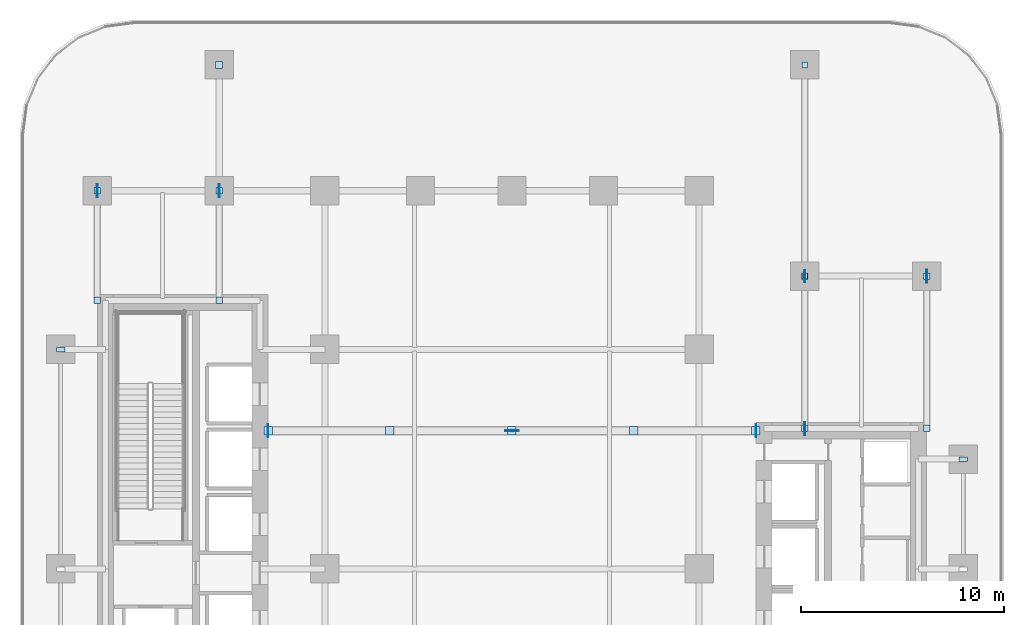
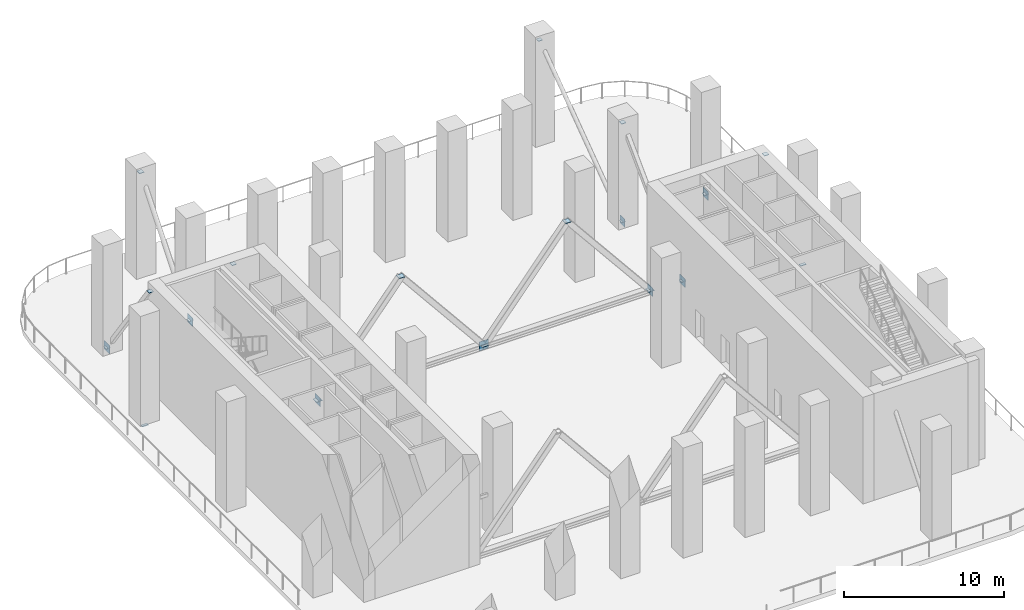
# One storey, part 4 of 13: 26 plates.
"""IFC4 building model written with IfcOpenShell, lengths in metres."""

from ifc_helpers import new_model, si_unit, direction, frame, origin, origin_2d, place, context, subcontext, project, spatial, rectangle, extrude, material, layer, layer_set, type_object, element, save


model = new_model("IFC4")

# Units and contexts
model_context = context("Model", 3, precision=1e-05, world=origin(), true_north=direction((0.0, 1.0)))
body_context = subcontext(model_context, "Body", "Model", "MODEL_VIEW")
ifc_project = project(units=[si_unit("LENGTHUNIT", "METRE"), si_unit("AREAUNIT", "SQUARE_METRE"), si_unit("VOLUMEUNIT", "CUBIC_METRE"), si_unit("PLANEANGLEUNIT", "RADIAN"), si_unit("MASSUNIT", "GRAM", prefix="KILO")], contexts=[model_context])

# Site, building, storey
site_placement = place(None, origin())
site = spatial("IfcSite", under=ifc_project, at=site_placement, CompositionType="ELEMENT")
building_placement = place(site_placement, origin())
building = spatial("IfcBuilding", under=site, at=building_placement, Name="Khairoan Windgate Tower", CompositionType="ELEMENT")
storey_placement = place(building_placement, frame((0.0, 0.0, 84.800048828125)))
storey = spatial("IfcBuildingStorey", under=building, at=storey_placement, Name="L20", CompositionType="ELEMENT", Elevation=84.800048828125)

# Plates
ifc_material_1 = material(Name="Steel S355", Category="steel")
ifc_layer_1 = layer(ifc_material_1, 0.0400390625, Name="Steel S355")
ifc_layer_set_1 = layer_set([ifc_layer_1], Name="Steel S355")
plate_type_1 = type_object("IfcPlateType", Name="Hollow Section End-Cap Plate PL-CAP40", PredefinedType="SHEET", material=ifc_layer_set_1)
for number, where, z_axis, x_axis, name in (
    (1, (-22.199951171875, 10.784912109375, -0.570068359375), (0.0, 0.0, 1.0), (0.0, 1.0, 0.0), "BM-SP-L20-035 steel end-cap plate 2"),
    (2, (22.199951171875, 5.385009765625, -0.570068359375), (0.0, 0.0, 1.0), (0.0, 1.0, 0.0), "BM-SP-L20-062 steel end-cap plate 2"),
):
    element("IfcPlate", number, at=place(storey_placement, frame(where, z_axis=z_axis, x_axis=x_axis)), inside=storey, type_object=plate_type_1, Name=name, PredefinedType="SHEET", context=body_context, shape_type="SweptSolid", body=[
        extrude(rectangle(XDim=0.219970703125, YDim=0.419921875, at=origin_2d()), origin(), (0.0, 0.0, 1.0), 0.0400390625),
    ])
for number, where, z_axis, x_axis, name in (
    (3, (-11.990478515625, 6.800048828125, 0.21142578125), (0.0, 0.0, 1.0), (1.0, 0.0, 0.0), "BR-OT-L20-05 steel end-cap plate 1"),
    (4, (-6.009521484375, 6.800048828125, 7.558349609375), (0.0, 0.0, 1.0), (1.0, 0.0, 0.0), "BR-OT-L20-05 steel end-cap plate 2"),
    (5, (-0.009521484375, 6.800048828125, 0.21142578125), (0.0, 0.0, 1.0), (1.0, 0.0, 0.0), "BR-OT-L20-06 steel end-cap plate 2"),
    (6, (5.990478515625, 6.800048828125, 7.558349609375), (0.0, 0.0, 1.0), (1.0, 0.0, 0.0), "BR-OT-L20-07 steel end-cap plate 2"),
    (7, (11.990478515625, 6.800048828125, 0.21142578125), (0.0, 0.0, 1.0), (1.0, 0.0, 0.0), "BR-OT-L20-08 steel end-cap plate 2"),
):
    element("IfcPlate", number, at=place(storey_placement, frame(where, z_axis=z_axis, x_axis=x_axis)), inside=storey, type_object=plate_type_1, Name=name, PredefinedType="SHEET", context=body_context, shape_type="SweptSolid", body=[
        extrude(rectangle(XDim=0.419921875, YDim=0.419921875, at=origin_2d()), origin(), (0.0, 0.0, 1.0), 0.0400390625),
    ])
for number, where, z_axis, x_axis, name in (
    (8, (-20.39990234375, 13.208740234375, 7.5576171875), (0.0, 0.0, 1.0), (0.0, 1.0, 0.0), "BR-BT-L20-02 steel end-cap plate 1"),
    (9, (-20.39990234375, 18.59130859375, 0.01220703125), (0.0, 0.0, 1.0), (0.0, 1.0, 0.0), "BR-BT-L20-02 steel end-cap plate 2"),
    (10, (-14.39990234375, 13.208740234375, 7.5576171875), (0.0, 0.0, 1.0), (0.0, 1.0, 0.0), "BR-BT-L20-04 steel end-cap plate 1"),
    (11, (-14.39990234375, 18.59130859375, 0.01220703125), (0.0, 0.0, 1.0), (0.0, 1.0, 0.0), "BR-BT-L20-04 steel end-cap plate 2"),
    (12, (14.39990234375, 6.91064453125, 0.0107421875), (0.0, 0.0, 1.0), (0.0, 1.0, 0.0), "BR-BT-L20-05 steel end-cap plate 1"),
    (13, (14.39990234375, 14.389404296875, 7.559326171875), (0.0, 0.0, 1.0), (0.0, 1.0, 0.0), "BR-BT-L20-05 steel end-cap plate 2"),
    (14, (20.39990234375, 6.91064453125, 7.559326171875), (0.0, 0.0, 1.0), (0.0, 1.0, 0.0), "BR-BT-L20-06 steel end-cap plate 1"),
    (15, (20.39990234375, 14.389404296875, 0.0107421875), (0.0, 0.0, 1.0), (0.0, 1.0, 0.0), "BR-BT-L20-06 steel end-cap plate 2"),
):
    element("IfcPlate", number, at=place(storey_placement, frame(where, z_axis=z_axis, x_axis=x_axis)), inside=storey, type_object=plate_type_1, Name=name, PredefinedType="SHEET", context=body_context, shape_type="SweptSolid", body=[
        extrude(rectangle(XDim=0.320068359375, YDim=0.320068359375, at=origin_2d()), origin(), (0.0, 0.0, 1.0), 0.0400390625),
    ])
plate_1_placement = place(storey_placement, frame((-14.39990234375, 24.79052734375, 7.558349609375), z_axis=(0.0, 0.0, 1.0), x_axis=(0.0, 1.0, 0.0)))
element("IfcPlate", 16, at=plate_1_placement, inside=storey, type_object=plate_type_1, Name="BR-CR-1-L20 steel end-cap plate 2", PredefinedType="SHEET", context=body_context, shape_type="SweptSolid", body=[
    extrude(rectangle(XDim=0.343994140625, YDim=0.343994140625, at=origin_2d()), origin(), (0.0, 0.0, 1.0), 0.0400390625),
])
for number, where, z_axis, x_axis, name in (
    (17, (14.39990234375, 14.412109375, 0.0087890625), (0.0, 0.0, 1.0), (0.0, 1.0, 0.0), "BR-CN-2-L20 steel end-cap plate 1"),
    (18, (14.39990234375, 24.787841796875, 7.56103515625), (0.0, 0.0, 1.0), (0.0, 1.0, 0.0), "BR-CN-2-L20 steel end-cap plate 2"),
):
    element("IfcPlate", number, at=place(storey_placement, frame(where, z_axis=z_axis, x_axis=x_axis)), inside=storey, type_object=plate_type_1, Name=name, PredefinedType="SHEET", context=body_context, shape_type="SweptSolid", body=[
        extrude(rectangle(XDim=0.29296875, YDim=0.29296875, at=origin_2d()), origin(), (0.0, 0.0, 1.0), 0.0400390625),
    ])
ifc_material_2 = material(Name="Steel S355", Category="steel")
ifc_layer_2 = layer(ifc_material_2, 0.031982421875, Name="Steel S355")
ifc_layer_set_2 = layer_set([ifc_layer_2], Name="Steel S355")
plate_type_2 = type_object("IfcPlateType", Name="Outrigger Node Gusset Plate PL-GUS32", PredefinedType="SHEET", material=ifc_layer_set_2)
for number, where, z_axis, x_axis, name in (
    (19, (-12.0, 6.800048828125, -0.10498046875), (0.0, 0.0, 1.0), (1.0, 0.0, 0.0), "L20 Outrigger Chord West End Gusset"),
    (20, (12.0, 6.800048828125, -0.10498046875), (0.0, 0.0, 1.0), (1.0, 0.0, 0.0), "L20 Outrigger Chord East End Gusset"),
):
    element("IfcPlate", number, at=place(storey_placement, frame(where, z_axis=z_axis, x_axis=x_axis)), inside=storey, type_object=plate_type_2, Name=name, PredefinedType="SHEET", context=body_context, shape_type="SweptSolid", body=[
        extrude(rectangle(XDim=0.031982421875, YDim=0.64990234375, at=origin_2d()), origin(), (0.0, 0.0, 1.0), 0.64990234375),
    ])
plate_2_placement = place(storey_placement, frame((0.0, 6.800048828125, -0.1201171875), z_axis=(0.0, 0.0, 1.0), x_axis=(1.0, 0.0, 0.0)))
element("IfcPlate", 21, at=plate_2_placement, inside=storey, type_object=plate_type_2, Name="L20 Outrigger Brace End Gusset 06", PredefinedType="SHEET", context=body_context, shape_type="SweptSolid", body=[
    extrude(rectangle(XDim=0.679931640625, YDim=0.031982421875, at=origin_2d()), origin(), (0.0, 0.0, 1.0), 0.679931640625),
])
for number, where, z_axis, x_axis, name in (
    (22, (-20.39990234375, 18.60009765625, -0.304931640625), (0.0, 0.0, 1.0), (1.0, 0.0, 0.0), "L20 Belt Brace End Gusset 02"),
    (23, (-14.39990234375, 18.60009765625, -0.304931640625), (0.0, 0.0, 1.0), (1.0, 0.0, 0.0), "L20 Belt Brace End Gusset 04"),
    (24, (14.39990234375, 6.89990234375, -0.304931640625), (0.0, 0.0, 1.0), (1.0, 0.0, 0.0), "L20 Belt Brace Start Gusset 05"),
    (25, (20.39990234375, 14.39990234375, -0.304931640625), (0.0, 0.0, 1.0), (1.0, 0.0, 0.0), "L20 Belt Brace End Gusset 06"),
):
    element("IfcPlate", number, at=place(storey_placement, frame(where, z_axis=z_axis, x_axis=x_axis)), inside=storey, type_object=plate_type_2, Name=name, PredefinedType="SHEET", context=body_context, shape_type="SweptSolid", body=[
        extrude(rectangle(XDim=0.031982421875, YDim=0.64990234375, at=origin_2d()), origin(), (0.0, 0.0, 1.0), 0.64990234375),
    ])
plate_3_placement = place(storey_placement, frame((14.39990234375, 14.39990234375, -0.280029296875), z_axis=(0.0, 0.0, 1.0), x_axis=(1.0, 0.0, 0.0)))
element("IfcPlate", 26, at=plate_3_placement, inside=storey, type_object=plate_type_2, Name="BR-CN-2-L20 Start Gusset", PredefinedType="SHEET", context=body_context, shape_type="SweptSolid", body=[
    extrude(rectangle(XDim=0.031982421875, YDim=0.60009765625, at=origin_2d()), origin(), (0.0, 0.0, 1.0), 0.60009765625),
])

save(model, "model.ifc")
